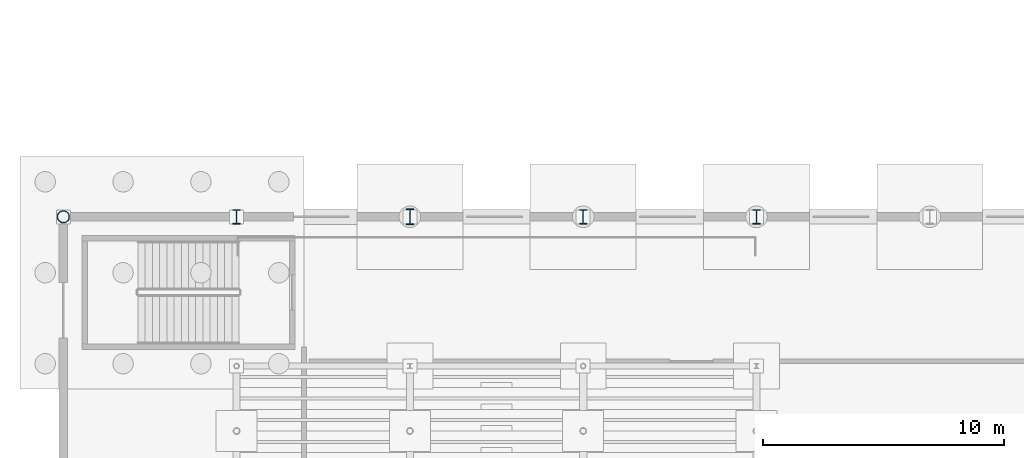
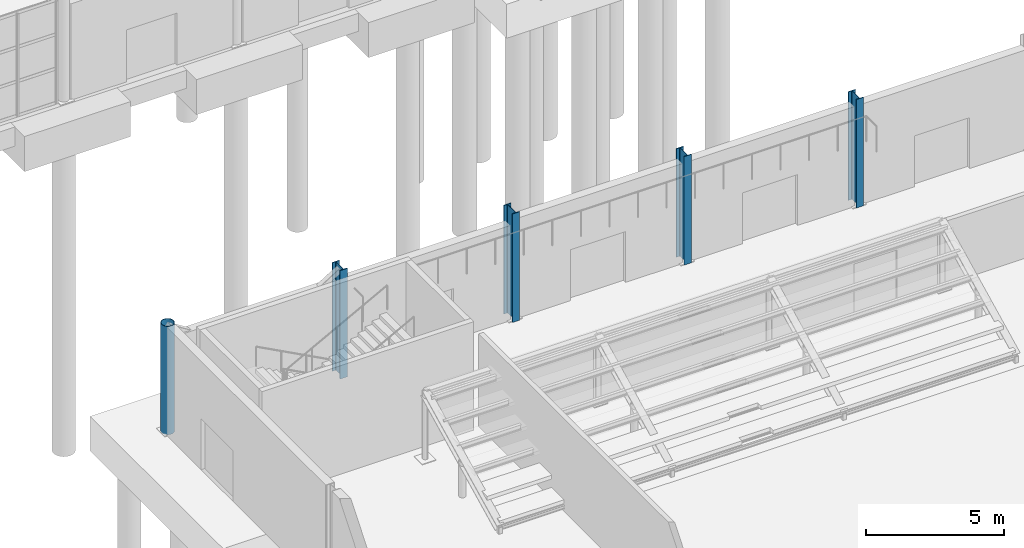
# One storey, part 9 of 101: 5 columns.
"""IFC4 building model written with IfcOpenShell, lengths in metres."""

from ifc_helpers import new_model, si_unit, derived_unit, direction, frame, origin, origin_2d, place, context, subcontext, project, spatial, hollow_circle, i_section, extrude, material, material_profile, profile_set, type_object, element, save


model = new_model("IFC4")

# Units and contexts
model_context = context("Model", 3, precision=1e-05, world=origin(), true_north=direction((0.0, 1.0)))
body_context = subcontext(model_context, "Body", "Model", "MODEL_VIEW")
ifc_project = project(units=[si_unit("LENGTHUNIT", "METRE"), si_unit("AREAUNIT", "SQUARE_METRE"), si_unit("VOLUMEUNIT", "CUBIC_METRE"), si_unit("PLANEANGLEUNIT", "RADIAN"), si_unit("MASSUNIT", "GRAM", prefix="KILO"), derived_unit("THERMALTRANSMITTANCEUNIT", [(si_unit("POWERUNIT", "WATT"), 1), (si_unit("LENGTHUNIT", "METRE"), -2), (si_unit("THERMODYNAMICTEMPERATUREUNIT", "KELVIN"), -1)])], contexts=[model_context])

# Site, building, storey
site_placement = place(None, origin())
site = spatial("IfcSite", under=ifc_project, at=site_placement, CompositionType="ELEMENT")
building_placement = place(site_placement, origin())
building = spatial("IfcBuilding", under=site, at=building_placement, Name="Keldorne Ridge Multi-Sports Centre", CompositionType="ELEMENT")
storey_placement = place(building_placement, origin())
storey = spatial("IfcBuildingStorey", under=building, at=storey_placement, Name="L00", CompositionType="ELEMENT", Elevation=0.0)

# Columns
ifc_material = material(Name="Steel S355", Category="steel")
ifc_material_profile_1 = material_profile(ifc_material, i_section(OverallWidth=0.300048828125, OverallDepth=0.60009765625, WebThickness=0.015380859375, FlangeThickness=0.030029296875, FilletRadius=0.027099609375, at=origin_2d()), Name="HEB 600")
ifc_profile_set_1 = profile_set([ifc_material_profile_1], Name="Steel S355")
column_type_1 = type_object("IfcColumnType", Name="COL-C-01", PredefinedType="COLUMN", material=ifc_profile_set_1)
for number, where, z_axis, x_axis, name in (
    (1, (13.199951171875, 54.0, 0.0), (0.0, 0.0, 1.0), (1.0, 0.0, 0.0), "Structural column V1-HALL-N-02 on L00"),
    (2, (27.60009765625, 54.0, 0.0), (0.0, 0.0, 1.0), (1.0, 0.0, 0.0), "Structural column V1-HALL-N-04 on L00"),
    (3, (34.800048828125, 54.0, 0.0), (0.0, 0.0, 1.0), (1.0, 0.0, 0.0), "Structural column V1-HALL-N-05 on L00"),
):
    element("IfcColumn", number, at=place(storey_placement, frame(where, z_axis=z_axis, x_axis=x_axis)), inside=storey, type_object=column_type_1, Name=name, PredefinedType="COLUMN", context=body_context, shape_type="SweptSolid", body=[
        extrude(i_section(OverallWidth=0.300048828125, OverallDepth=0.60009765625, WebThickness=0.015380859375, FlangeThickness=0.030029296875, FilletRadius=0.027099609375, at=origin_2d()), origin(), (0.0, 0.0, 1.0), 4.800048828125),
    ])
ifc_material_profile_2 = material_profile(ifc_material, hollow_circle(Radius=0.25390625, WallThickness=0.02001953125, at=origin_2d()), Name="CHS 508x20")
ifc_profile_set_2 = profile_set([ifc_material_profile_2], Name="Steel S355")
column_type_2 = type_object("IfcColumnType", Name="COL-C-02", PredefinedType="COLUMN", material=ifc_profile_set_2)
column_1_placement = place(storey_placement, frame((6.0, 54.0, 0.0), z_axis=(0.0, 0.0, 1.0), x_axis=(1.0, 0.0, 0.0)))
element("IfcColumn", 4, at=column_1_placement, inside=storey, type_object=column_type_2, Name="Structural column V1-HALL-N-01 on L00", PredefinedType="COLUMN", context=body_context, shape_type="SweptSolid", body=[
    extrude(hollow_circle(Radius=0.25390625, WallThickness=0.02001953125, at=origin_2d()), origin(), (0.0, 0.0, 1.0), 4.800048828125),
])
ifc_material_profile_3 = material_profile(ifc_material, i_section(OverallWidth=0.300048828125, OverallDepth=0.64990234375, WebThickness=0.01611328125, FlangeThickness=0.031005859375, FilletRadius=0.027099609375, at=origin_2d()), Name="HEB 650")
ifc_profile_set_3 = profile_set([ifc_material_profile_3], Name="Steel S355")
column_type_3 = type_object("IfcColumnType", Name="COL-C-38", PredefinedType="COLUMN", material=ifc_profile_set_3)
column_2_placement = place(storey_placement, frame((20.39990234375, 54.0, 0.0), z_axis=(0.0, 0.0, 1.0), x_axis=(1.0, 0.0, 0.0)))
element("IfcColumn", 5, at=column_2_placement, inside=storey, type_object=column_type_3, Name="Structural column V1-HALL-N-03 on L00", PredefinedType="COLUMN", context=body_context, shape_type="SweptSolid", body=[
    extrude(i_section(OverallWidth=0.300048828125, OverallDepth=0.64990234375, WebThickness=0.01611328125, FlangeThickness=0.031005859375, FilletRadius=0.027099609375, at=origin_2d()), origin(), (0.0, 0.0, 1.0), 4.800048828125),
])

save(model, "model.ifc")
